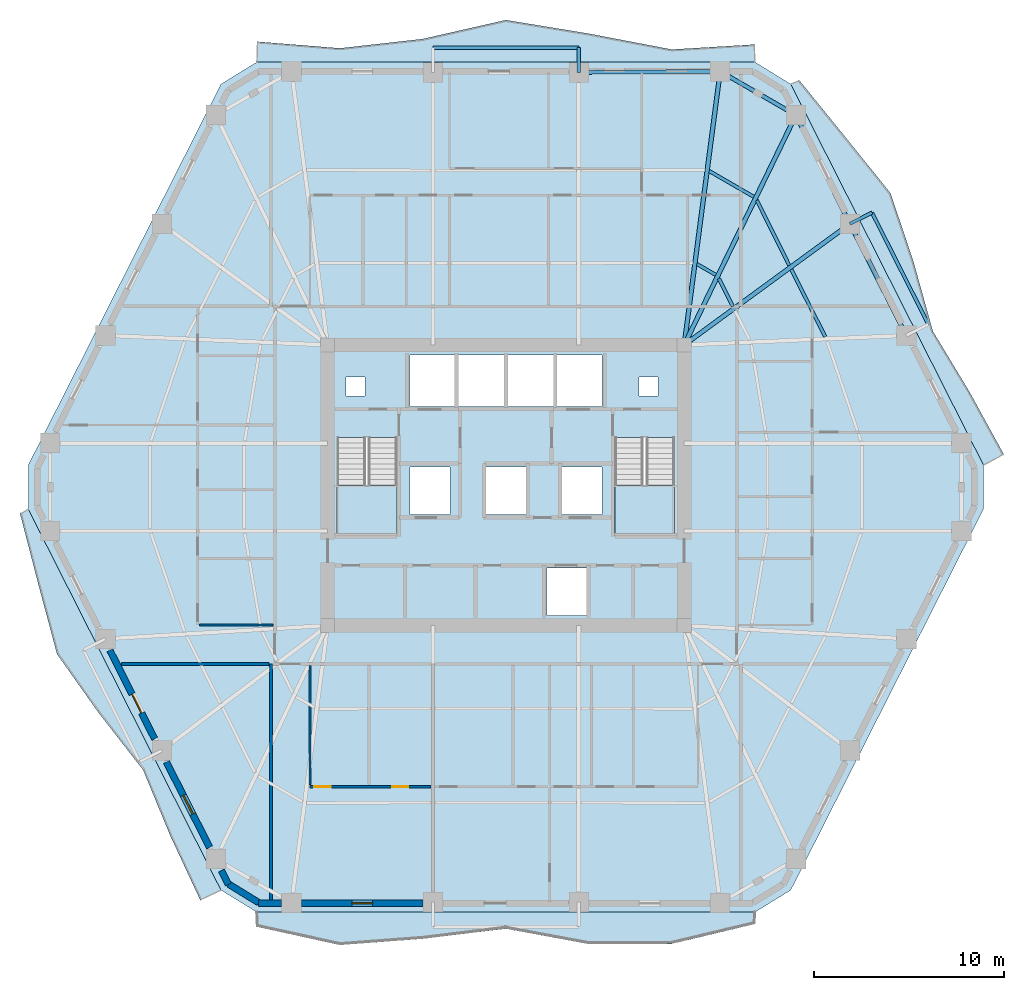
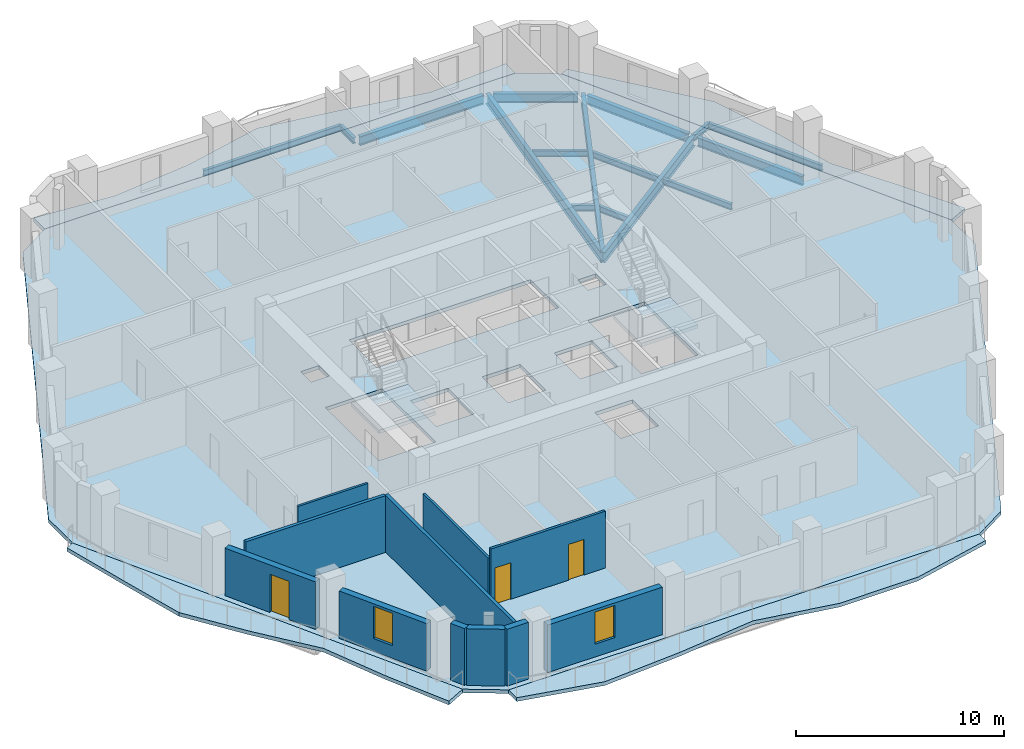
# One storey, part 3 of 11: 16 beams, 11 walls, 7 slabs, 3 doors, 2 windows, 5 openings, 2 elements without a shape of their own.
"""IFC4 building model written with IfcOpenShell, lengths in metres."""

from ifc_helpers import new_model, si_unit, direction, frame, frame_2d, origin, origin_2d, place, context, subcontext, project, spatial, polyline, rectangle, i_section, outline, extrude, material, layer, layer_set, material_profile, profile_set, type_object, element, fill, aggregate, save


model = new_model("IFC4")

# Units and contexts
model_context = context("Model", 3, precision=1e-05, world=origin(), true_north=direction((0.0, 1.0)))
body_context = subcontext(model_context, "Body", "Model", "MODEL_VIEW")
ifc_project = project(units=[si_unit("LENGTHUNIT", "METRE"), si_unit("AREAUNIT", "SQUARE_METRE"), si_unit("VOLUMEUNIT", "CUBIC_METRE"), si_unit("PLANEANGLEUNIT", "RADIAN"), si_unit("MASSUNIT", "GRAM", prefix="KILO")], contexts=[model_context])

# Site, building, storey
site_placement = place(None, origin())
site = spatial("IfcSite", under=ifc_project, at=site_placement, CompositionType="ELEMENT")
building_placement = place(site_placement, origin())
building = spatial("IfcBuilding", under=site, at=building_placement, Name="Cinnabar Lancet Tower", CompositionType="ELEMENT")
storey_placement = place(building_placement, frame((0.0, 0.0, 130.35009765625)))
storey = spatial("IfcBuildingStorey", under=building, at=storey_placement, Name="L34", CompositionType="ELEMENT", Elevation=130.35009765625)

# Beams
ifc_material_1 = material(Name="Structural steel S355", Category="steel")
ifc_material_profile_1 = material_profile(ifc_material_1, i_section(OverallWidth=0.17138671875, OverallDepth=0.35498046875, WebThickness=0.00732421875, FlangeThickness=0.011474609375, FilletRadius=0.01025390625, at=origin_2d()), Name="UKB 356x171x51")
ifc_profile_set_1 = profile_set([ifc_material_profile_1], Name="Structural steel S355")
beam_type_1 = type_object("IfcBeamType", Name="STR-BM-JST-356", PredefinedType="JOIST", material=ifc_profile_set_1)
beam_1_placement = place(storey_placement, frame((49.19189453125, 33.70703125, -0.38818359375), z_axis=(-0.450606998706, 0.892722427587, 0.0), x_axis=(-0.892722427587, -0.450606998706, 0.0)))
element("IfcBeam", 1, at=beam_1_placement, inside=storey, type_object=beam_type_1, Name="L34 Secondary Floor Joist 27", PredefinedType="JOIST", context=body_context, shape_type="SweptSolid", body=[
    extrude(i_section(OverallWidth=0.17138671875, OverallDepth=0.35498046875, WebThickness=0.00732421875, FlangeThickness=0.011474609375, FilletRadius=0.01025390625, at=origin_2d()), origin(), (0.0, 0.0, 1.0), 3.967529296875),
])
beam_2_placement = place(storey_placement, frame((47.300048828125, 37.455078125, -0.38818359375), z_axis=(-0.445116798807, 0.895472520751, 0.0), x_axis=(-0.895472520751, -0.445116798807, 0.0)))
element("IfcBeam", 2, at=beam_2_placement, inside=storey, type_object=beam_type_1, Name="L34 Secondary Floor Joist 29", PredefinedType="JOIST", context=body_context, shape_type="SweptSolid", body=[
    extrude(i_section(OverallWidth=0.17138671875, OverallDepth=0.35498046875, WebThickness=0.00732421875, FlangeThickness=0.011474609375, FilletRadius=0.01025390625, at=origin_2d()), origin(), (0.0, 0.0, 1.0), 3.8212890625),
])
beam_3_placement = place(storey_placement, frame((44.337890625, 35.2900390625, -0.38818359375), z_axis=(-0.445677136949, 0.895193772097, 0.0), x_axis=(-0.895193772097, -0.445677136949, 0.0)))
element("IfcBeam", 3, at=beam_3_placement, inside=storey, type_object=beam_type_1, Name="L34 Secondary Floor Joist 30", PredefinedType="JOIST", context=body_context, shape_type="SweptSolid", body=[
    extrude(i_section(OverallWidth=0.17138671875, OverallDepth=0.35498046875, WebThickness=0.00732421875, FlangeThickness=0.011474609375, FilletRadius=0.01025390625, at=origin_2d()), origin(), (0.0, 0.0, 1.0), 1.6533203125),
])
beam_4_placement = place(storey_placement, frame((45.43505859375, 41.06298828125, -0.38818359375), z_axis=(-0.865172906898, 0.501473669469, 0.0), x_axis=(-0.501473669469, -0.865172906898, 0.0)))
element("IfcBeam", 4, at=beam_4_placement, inside=storey, type_object=beam_type_1, Name="L34 Secondary Floor Joist 31", PredefinedType="JOIST", context=body_context, shape_type="SweptSolid", body=[
    extrude(i_section(OverallWidth=0.17138671875, OverallDepth=0.35498046875, WebThickness=0.00732421875, FlangeThickness=0.011474609375, FilletRadius=0.01025390625, at=origin_2d()), origin(), (0.0, 0.0, 1.0), 2.705810546875),
])
beam_5_placement = place(storey_placement, frame((43.43798828125, 36.9560546875, -0.38818359375), z_axis=(-0.865055308165, 0.501676503154, 0.0), x_axis=(-0.501676503154, -0.865055308165, 0.0)))
element("IfcBeam", 5, at=beam_5_placement, inside=storey, type_object=beam_type_1, Name="L34 Secondary Floor Joist 32", PredefinedType="JOIST", context=body_context, shape_type="SweptSolid", body=[
    extrude(i_section(OverallWidth=0.17138671875, OverallDepth=0.35498046875, WebThickness=0.00732421875, FlangeThickness=0.011474609375, FilletRadius=0.01025390625, at=origin_2d()), origin(), (0.0, 0.0, 1.0), 1.14208984375),
])
ifc_material_2 = material(Name="Structural steel S355", Category="steel")
ifc_material_profile_2 = material_profile(ifc_material_2, i_section(OverallWidth=0.209228515625, OverallDepth=0.533203125, WebThickness=0.010009765625, FlangeThickness=0.015625, FilletRadius=0.0126953125, at=origin_2d()), Name="UKB 533x210x92")
ifc_profile_set_2 = profile_set([ifc_material_profile_2], Name="Structural steel S355")
beam_type_2 = type_object("IfcBeamType", Name="STR-BM-SPN-533", PredefinedType="SPANDREL", material=ifc_profile_set_2)
beam_6_placement = place(storey_placement, frame((53.339111328125, 33.9990234375, -0.47705078125), z_axis=(-0.450570325924, 0.892740937449, 0.0), x_axis=(-0.892740937449, -0.450570325924, 0.0)))
element("IfcBeam", 6, at=beam_6_placement, inside=storey, type_object=beam_type_2, Name="L34 Perimeter Spandrel 10", PredefinedType="SPANDREL", context=body_context, shape_type="SweptSolid", body=[
    extrude(i_section(OverallWidth=0.209228515625, OverallDepth=0.533203125, WebThickness=0.010009765625, FlangeThickness=0.015625, FilletRadius=0.0126953125, at=origin_2d()), origin(), (0.0, 0.0, 1.0), 6.07470703125),
])
beam_7_placement = place(storey_placement, frame((50.3779296875, 39.868896484375, -0.47705078125), z_axis=(-0.445501068635, 0.89528140707, 0.0), x_axis=(-0.89528140707, -0.445501068635, 0.0)))
element("IfcBeam", 7, at=beam_7_placement, inside=storey, type_object=beam_type_2, Name="L34 Perimeter Spandrel 11", PredefinedType="SPANDREL", context=body_context, shape_type="SweptSolid", body=[
    extrude(i_section(OverallWidth=0.209228515625, OverallDepth=0.533203125, WebThickness=0.010009765625, FlangeThickness=0.015625, FilletRadius=0.0126953125, at=origin_2d()), origin(), (0.0, 0.0, 1.0), 5.87646484375),
])
beam_8_placement = place(storey_placement, frame((47.43310546875, 45.47900390625, -0.47705078125), z_axis=(-0.865138129765, 0.5015336643, 0.0), x_axis=(-0.5015336643, -0.865138129765, 0.0)))
element("IfcBeam", 8, at=beam_8_placement, inside=storey, type_object=beam_type_2, Name="L34 Perimeter Spandrel 12", PredefinedType="SPANDREL", context=body_context, shape_type="SweptSolid", body=[
    extrude(i_section(OverallWidth=0.209228515625, OverallDepth=0.533203125, WebThickness=0.010009765625, FlangeThickness=0.015625, FilletRadius=0.0126953125, at=origin_2d()), origin(), (0.0, 0.0, 1.0), 4.10107421875),
])
beam_9_placement = place(storey_placement, frame((43.4189453125, 47.658935546875, -0.47705078125), z_axis=(-0.999975228682, -0.007038609338, 0.0), x_axis=(0.007038609338, -0.999975228682, 0.0)))
element("IfcBeam", 9, at=beam_9_placement, inside=storey, type_object=beam_type_2, Name="L34 Perimeter Spandrel 13", PredefinedType="SPANDREL", context=body_context, shape_type="SweptSolid", body=[
    extrude(i_section(OverallWidth=0.209228515625, OverallDepth=0.533203125, WebThickness=0.010009765625, FlangeThickness=0.015625, FilletRadius=0.0126953125, at=origin_2d()), origin(), (0.0, 0.0, 1.0), 6.937255859375),
])
ifc_material_3 = material(Name="Structural steel S355", Category="steel")
ifc_material_profile_3 = material_profile(ifc_material_3, i_section(OverallWidth=0.228271484375, OverallDepth=0.607666015625, WebThickness=0.010986328125, FlangeThickness=0.017333984375, FilletRadius=0.0126953125, at=origin_2d()), Name="UKB 610x229x113")
ifc_profile_set_3 = profile_set([ifc_material_profile_3], Name="Structural steel S355")
beam_type_3 = type_object("IfcBeamType", Name="STR-BM-UKB610-113", PredefinedType="BEAM", material=ifc_profile_set_3)
beam_10_placement = place(storey_placement, frame((50.489013671875, 39.64501953125, -0.51416015625), z_axis=(-0.807297870919, -0.590144175273, 0.0), x_axis=(0.590144175273, -0.807297870919, 0.0)))
element("IfcBeam", 10, at=beam_10_placement, inside=storey, type_object=beam_type_3, Name="L34 Corner Collector Girder 3", PredefinedType="BEAM", context=body_context, shape_type="SweptSolid", body=[
    extrude(i_section(OverallWidth=0.228271484375, OverallDepth=0.607666015625, WebThickness=0.010986328125, FlangeThickness=0.017333984375, FilletRadius=0.0126953125, at=origin_2d()), origin(), (0.0, 0.0, 1.0), 10.794189453125),
])
beam_11_placement = place(storey_placement, frame((47.64892578125, 45.35400390625, -0.51416015625), z_axis=(-0.437327473227, -0.899302330232, 0.0), x_axis=(0.899302330232, -0.437327473227, 0.0)))
element("IfcBeam", 11, at=beam_11_placement, inside=storey, type_object=beam_type_3, Name="L34 Primary Floor Girder 12", PredefinedType="BEAM", context=body_context, shape_type="SweptSolid", body=[
    extrude(i_section(OverallWidth=0.228271484375, OverallDepth=0.607666015625, WebThickness=0.010986328125, FlangeThickness=0.017333984375, FilletRadius=0.0126953125, at=origin_2d()), origin(), (0.0, 0.0, 1.0), 13.431640625),
])
beam_12_placement = place(storey_placement, frame((43.6689453125, 47.660888671875, -0.51416015625), z_axis=(-0.130532420418, -0.991444041396, 0.0), x_axis=(0.991444041396, -0.130532420418, 0.0)))
element("IfcBeam", 12, at=beam_12_placement, inside=storey, type_object=beam_type_3, Name="L34 Primary Floor Girder 13", PredefinedType="BEAM", context=body_context, shape_type="SweptSolid", body=[
    extrude(i_section(OverallWidth=0.228271484375, OverallDepth=0.607666015625, WebThickness=0.010986328125, FlangeThickness=0.017333984375, FilletRadius=0.0126953125, at=origin_2d()), origin(), (0.0, 0.0, 1.0), 14.51025390625),
])
ifc_material_4 = material(Name="Structural steel S355", Category="steel")
ifc_material_profile_4 = material_profile(ifc_material_4, i_section(OverallWidth=0.17138671875, OverallDepth=0.35498046875, WebThickness=0.00732421875, FlangeThickness=0.011474609375, FilletRadius=0.01025390625, at=origin_2d()), Name="UKB 356x171x51")
ifc_profile_set_4 = profile_set([ifc_material_profile_4], Name="Structural steel S355")
beam_type_4 = type_object("IfcBeamType", Name="STR-BM-WAV-OUT", PredefinedType="BEAM", material=ifc_profile_set_4)
for number, where, z_axis, x_axis, name in (
    (13, (50.489013671875, 39.64501953125, -0.398193359375), (0.89227592947, 0.451490493464, 0.0), (-0.451490493464, 0.89227592947, 0.0), "L34 Face 3 Balcony Outlooker B"),
    (14, (36.23193359375, 47.60791015625, -0.398193359375), (0.0, 1.0, 0.0), (-1.0, 0.0, 0.0), "L34 Face 4 Balcony Outlooker A"),
):
    element("IfcBeam", number, at=place(storey_placement, frame(where, z_axis=z_axis, x_axis=x_axis)), inside=storey, type_object=beam_type_4, Name=name, PredefinedType="BEAM", context=body_context, shape_type="SweptSolid", body=[
        extrude(i_section(OverallWidth=0.17138671875, OverallDepth=0.35498046875, WebThickness=0.00732421875, FlangeThickness=0.011474609375, FilletRadius=0.01025390625, at=origin_2d()), origin(), (0.0, 0.0, 1.0), 1.300048828125),
    ])
ifc_material_5 = material(Name="Structural steel S355", Category="steel")
ifc_material_profile_5 = material_profile(ifc_material_5, i_section(OverallWidth=0.17138671875, OverallDepth=0.35498046875, WebThickness=0.00732421875, FlangeThickness=0.011474609375, FilletRadius=0.01025390625, at=origin_2d()), Name="UKB 356x171x51")
ifc_profile_set_5 = profile_set([ifc_material_profile_5], Name="Structural steel S355")
beam_type_5 = type_object("IfcBeamType", Name="STR-BM-WAV-TRIM", PredefinedType="SPANDREL", material=ifc_profile_set_5)
beam_13_placement = place(storey_placement, frame((54.612060546875, 34.363037109375, -0.398193359375), z_axis=(-0.450700828166, 0.892675060417, 0.0), x_axis=(-0.892675060417, -0.450700828166, 0.0)))
element("IfcBeam", 15, at=beam_13_placement, inside=storey, type_object=beam_type_5, Name="L34 Face 3 Balcony Edge Trimmer", PredefinedType="SPANDREL", context=body_context, shape_type="SweptSolid", body=[
    extrude(i_section(OverallWidth=0.17138671875, OverallDepth=0.35498046875, WebThickness=0.00732421875, FlangeThickness=0.011474609375, FilletRadius=0.01025390625, at=origin_2d()), origin(), (0.0, 0.0, 1.0), 6.574462890625),
])
beam_14_placement = place(storey_placement, frame((36.23193359375, 48.907958984375, -0.398193359375), z_axis=(-1.0, 0.0, 0.0), x_axis=(0.0, -1.0, 0.0)))
element("IfcBeam", 16, at=beam_14_placement, inside=storey, type_object=beam_type_5, Name="L34 Face 4 Balcony Edge Trimmer", PredefinedType="SPANDREL", context=body_context, shape_type="SweptSolid", body=[
    extrude(i_section(OverallWidth=0.17138671875, OverallDepth=0.35498046875, WebThickness=0.00732421875, FlangeThickness=0.011474609375, FilletRadius=0.01025390625, at=origin_2d()), origin(), (0.0, 0.0, 1.0), 7.663818359375),
])

# Stair, slab
ifc_material_6 = material(Name="Concrete C40/50", Category="concrete")
stair_type = type_object("IfcStairType", Name="ST-CORE", PredefinedType="HALF_TURN_STAIR", material=ifc_material_6)
stair_1_placement = place(storey_placement, origin())
stair_1 = element("IfcStair", 17, at=stair_1_placement, inside=storey, type_object=stair_type, Name="L34 ST-1", PredefinedType="HALF_TURN_STAIR")
ifc_material_7 = material(Name="Concrete C40/50", Category="concrete")
ifc_layer_1 = layer(ifc_material_7, 0.199951171875)
ifc_layer_set_1 = layer_set([ifc_layer_1], Name="Concrete C40/50")
slab_type_1 = type_object("IfcSlabType", Name="LANDING-CORE", PredefinedType="LANDING", material=ifc_layer_set_1)
slab_1_placement = place(storey_placement, frame((0.0, 0.0, 1.574951171875)))
slab_1 = element("IfcSlab", 18, at=slab_1_placement, type_object=slab_type_1, Name="ST-1 landing 1", PredefinedType="LANDING", context=body_context, shape_type="SweptSolid", body=[
    extrude(outline(polyline([(23.52490234375, 25.925048828125), (23.52490234375, 23.25), (26.675048828125, 23.25), (26.675048828125, 25.925048828125), (23.52490234375, 25.925048828125)])), origin(), (0.0, 0.0, 1.0), 0.199951171875),
])
aggregate(stair_1, [slab_1])

stair_2_placement = place(storey_placement, origin())
stair_2 = element("IfcStair", 19, at=stair_2_placement, inside=storey, type_object=stair_type, Name="L34 ST-2", PredefinedType="HALF_TURN_STAIR")
slab_2_placement = place(storey_placement, frame((0.0, 0.0, 1.574951171875)))
slab_2 = element("IfcSlab", 20, at=slab_2_placement, type_object=slab_type_1, Name="ST-2 landing 1", PredefinedType="LANDING", context=body_context, shape_type="SweptSolid", body=[
    extrude(outline(polyline([(38.125, 25.925048828125), (38.125, 23.25), (41.27490234375, 23.25), (41.27490234375, 25.925048828125), (38.125, 25.925048828125)])), origin(), (0.0, 0.0, 1.0), 0.199951171875),
])
aggregate(stair_2, [slab_2])

# Slabs
ifc_material_8 = material(Name="Concrete C40/50", Category="concrete")
ifc_layer_2 = layer(ifc_material_8, 0.2099609375)
ifc_layer_set_2 = layer_set([ifc_layer_2], Name="Concrete C40/50")
slab_type_2 = type_object("IfcSlabType", Name="STR-SLB-FLR-210", PredefinedType="FLOOR", material=ifc_layer_set_2)
slab_3_placement = place(storey_placement, frame((0.0, 0.0, -0.210205078125)))
element("IfcSlab", 21, at=slab_3_placement, inside=storey, type_object=slab_type_2, Name="L34 Structural Floor Slab", PredefinedType="FLOOR", context=body_context, shape_type="SweptSolid", body=[
    extrude(outline(polyline([(17.4208984375, 4.610107421875), (19.30810546875, 3.449951171875), (45.491943359375, 3.449951171875), (47.37890625, 4.610107421875), (57.512939453125, 24.639892578125), (57.512939453125, 26.9599609375), (47.37890625, 46.989990234375), (45.491943359375, 48.14990234375), (19.30810546875, 48.14990234375), (17.4208984375, 46.989990234375), (7.287109375, 26.9599609375), (7.287109375, 24.639892578125), (17.4208984375, 4.610107421875)]), holes=[polyline([(23.52490234375, 23.25), (26.675048828125, 23.25), (26.675048828125, 28.3994140625), (23.52490234375, 28.3994140625), (23.52490234375, 23.25)]), polyline([(38.125, 23.25), (41.27490234375, 23.25), (41.27490234375, 28.3994140625), (38.125, 28.3994140625), (38.125, 23.25)]), polyline([(27.35009765625, 30.050048828125), (37.449951171875, 30.050048828125), (37.449951171875, 32.75), (27.35009765625, 32.75), (27.35009765625, 30.050048828125)]), polyline([(34.550048828125, 19.050048828125), (36.64990234375, 19.050048828125), (36.64990234375, 21.550048828125), (34.550048828125, 21.550048828125), (34.550048828125, 19.050048828125)]), polyline([(27.35009765625, 24.35009765625), (29.449951171875, 24.35009765625), (29.449951171875, 26.85009765625), (27.35009765625, 26.85009765625), (27.35009765625, 24.35009765625)]), polyline([(35.35009765625, 24.35009765625), (37.449951171875, 24.35009765625), (37.449951171875, 26.85009765625), (35.35009765625, 26.85009765625), (35.35009765625, 24.35009765625)]), polyline([(31.35009765625, 24.35009765625), (33.449951171875, 24.35009765625), (33.449951171875, 26.85009765625), (31.35009765625, 26.85009765625), (31.35009765625, 24.35009765625)]), polyline([(24.0, 30.60009765625), (25.0, 30.60009765625), (25.0, 31.60009765625), (24.0, 31.60009765625), (24.0, 30.60009765625)]), polyline([(39.39990234375, 30.60009765625), (40.39990234375, 30.60009765625), (40.39990234375, 31.60009765625), (39.39990234375, 31.60009765625), (39.39990234375, 30.60009765625)])]), origin(), (0.0, 0.0, 1.0), 0.210205078125),
])
ifc_material_9 = material(Name="Concrete C45/55", Category="concrete")
ifc_layer_3 = layer(ifc_material_9, 0.219970703125)
ifc_layer_set_3 = layer_set([ifc_layer_3], Name="Concrete C45/55")
slab_type_3 = type_object("IfcSlabType", Name="STR-SLB-WAV-220", PredefinedType="FLOOR", material=ifc_layer_set_3)
slab_4_placement = place(storey_placement, frame((0.0, 0.0, -0.22021484375)))
element("IfcSlab", 22, at=slab_4_placement, inside=storey, type_object=slab_type_3, Name="L34 Face 1 Undulating Wave Balcony Slab", PredefinedType="FLOOR", context=body_context, shape_type="SweptSolid", body=[
    extrude(outline(polyline([(19.30810546875, 3.449951171875), (19.30810546875, 2.681884765625), (23.672119140625, 1.72509765625), (28.035888671875, 2.052978515625), (32.39990234375, 2.5830078125), (36.763916015625, 1.77490234375), (41.1279296875, 1.7900390625), (45.491943359375, 2.83203125), (45.491943359375, 3.449951171875), (19.30810546875, 3.449951171875)])), origin(), (0.0, 0.0, 1.0), 0.22021484375),
])
slab_5_placement = place(storey_placement, frame((0.0, 0.0, -0.22021484375)))
element("IfcSlab", 23, at=slab_5_placement, inside=storey, type_object=slab_type_3, Name="L34 Face 3 Undulating Wave Balcony Slab", PredefinedType="FLOOR", context=body_context, shape_type="SweptSolid", body=[
    extrude(outline(polyline([(57.512939453125, 26.9599609375), (58.590087890625, 27.5048828125), (56.7880859375, 30.785888671875), (54.85107421875, 33.9990234375), (53.824951171875, 37.673095703125), (52.6220703125, 41.257080078125), (50.22412109375, 44.236083984375), (47.81103515625, 47.2080078125), (47.37890625, 46.989990234375), (57.512939453125, 26.9599609375)])), origin(), (0.0, 0.0, 1.0), 0.22021484375),
])
slab_6_placement = place(storey_placement, frame((0.0, 0.0, -0.22021484375)))
element("IfcSlab", 24, at=slab_6_placement, inside=storey, type_object=slab_type_3, Name="L34 Face 4 Undulating Wave Balcony Slab", PredefinedType="FLOOR", context=body_context, shape_type="SweptSolid", body=[
    extrude(outline(polyline([(45.491943359375, 48.14990234375), (45.491943359375, 49.074951171875), (41.1279296875, 48.81005859375), (36.763916015625, 49.64501953125), (32.39990234375, 50.361083984375), (28.035888671875, 49.366943359375), (23.672119140625, 48.875), (19.30810546875, 49.22509765625), (19.30810546875, 48.14990234375), (45.491943359375, 48.14990234375)])), origin(), (0.0, 0.0, 1.0), 0.22021484375),
])
slab_7_placement = place(storey_placement, frame((0.0, 0.0, -0.22021484375)))
element("IfcSlab", 25, at=slab_7_placement, inside=storey, type_object=slab_type_3, Name="L34 Face 6 Undulating Wave Balcony Slab", PredefinedType="FLOOR", context=body_context, shape_type="SweptSolid", body=[
    extrude(outline(polyline([(7.287109375, 24.639892578125), (6.85302734375, 24.4208984375), (7.81103515625, 20.7119140625), (8.801025390625, 17.02001953125), (10.987060546875, 13.93310546875), (13.327880859375, 10.925048828125), (14.760009765625, 7.4560546875), (16.342041015625, 4.06396484375), (17.4208984375, 4.610107421875), (7.287109375, 24.639892578125)])), origin(), (0.0, 0.0, 1.0), 0.22021484375),
])

# Walls
ifc_material_10 = material(Name="Fire-rated twin-frame acoustic drywall", Category="gypsum")
ifc_layer_4 = layer(ifc_material_10, 0.179931640625)
ifc_layer_set_4 = layer_set([ifc_layer_4], Name="Fire-rated twin-frame acoustic drywall")
wall_type_1 = type_object("IfcWallType", Name="ARC-WL-PARTY-180", PredefinedType="PARTITIONING", material=ifc_layer_set_4)
wall_1_placement = place(storey_placement, frame((20.050048828125, 4.10498046875, 0.0), z_axis=(0.0, 0.0, 1.0), x_axis=(0.0, 1.0, 0.0)))
element("IfcWall", 26, at=wall_1_placement, inside=storey, type_object=wall_type_1, Name="PW-L34-SPTY-200", PredefinedType="PARTITIONING", context=body_context, shape_type="SweptSolid", body=[
    extrude(rectangle(XDim=12.39501953125, YDim=0.179931640625, at=frame_2d((6.197509765625, 0.0))), origin(), (0.0, 0.0, 1.0), 3.33984375),
])
wall_2_placement = place(storey_placement, frame((12.18505859375, 16.5, 0.0), z_axis=(0.0, 0.0, 1.0), x_axis=(1.0, 0.0, 0.0)))
element("IfcWall", 27, at=wall_2_placement, inside=storey, type_object=wall_type_1, Name="PW-L34-WSB", PredefinedType="PARTITIONING", context=body_context, shape_type="SweptSolid", body=[
    extrude(rectangle(XDim=7.77001953125, YDim=0.179931640625, at=frame_2d((3.885009765625, 0.0))), origin(), (0.0, 0.0, 1.0), 3.33984375),
])
ifc_material_11 = material(Name="Gypsum plasterboard stud partition", Category="gypsum")
ifc_layer_5 = layer(ifc_material_11, 0.125)
ifc_layer_set_5 = layer_set([ifc_layer_5], Name="Gypsum plasterboard stud partition")
wall_type_2 = type_object("IfcWallType", Name="ARC-WL-UNIT-125", PredefinedType="PARTITIONING", material=ifc_layer_set_5)
wall_3_placement = place(storey_placement, frame((22.10009765625, 10.159912109375, 0.0), z_axis=(0.0, 0.0, 1.0), x_axis=(0.0, 1.0, 0.0)))
element("IfcWall", 28, at=wall_3_placement, inside=storey, type_object=wall_type_2, Name="UW-L34-S01-FOYE", PredefinedType="PARTITIONING", context=body_context, shape_type="SweptSolid", body=[
    extrude(rectangle(XDim=6.255126953125, YDim=0.125, at=frame_2d((3.12744140625, 0.0))), origin(), (0.0, 0.0, 1.0), 2.721923828125),
])
wall_4_placement = place(storey_placement, frame((16.284912109375, 18.550048828125, 0.0), z_axis=(0.0, 0.0, 1.0), x_axis=(1.0, 0.0, 0.0)))
element("IfcWall", 29, at=wall_4_placement, inside=storey, type_object=wall_type_2, Name="UW-L34-W01-FOYN", PredefinedType="PARTITIONING", context=body_context, shape_type="SweptSolid", body=[
    extrude(rectangle(XDim=3.880126953125, YDim=0.125, at=frame_2d((1.93994140625, 0.0))), origin(), (0.0, 0.0, 1.0), 2.721923828125),
])

# Wall, openings, doors
ifc_material_12 = material(Name="Moisture-resistant cement-board plumbing wall", Category="masonry")
ifc_layer_6 = layer(ifc_material_12, 0.139892578125)
ifc_layer_set_6 = layer_set([ifc_layer_6], Name="Moisture-resistant cement-board plumbing wall")
wall_type_3 = type_object("IfcWallType", Name="ARC-WL-WET-140", PredefinedType="PLUMBINGWALL", material=ifc_layer_set_6)
wall_5_placement = place(storey_placement, frame((22.10009765625, 10.054931640625, 0.0), z_axis=(0.0, 0.0, 1.0), x_axis=(1.0, 0.0, 0.0)))
wall_5 = element("IfcWall", 30, at=wall_5_placement, inside=storey, type_object=wall_type_3, Name="UW-L34-S01-SPL", PredefinedType="PLUMBINGWALL", context=body_context, shape_type="SweptSolid", body=[
    extrude(rectangle(XDim=6.372802734375, YDim=0.139892578125, at=frame_2d((3.1865234375, 0.0))), origin(), (0.0, 0.0, 1.0), 3.33984375),
])
opening_1_placement = place(wall_5_placement, frame((4.31396484375, 0.0, 0.0)))
opening_1 = element("IfcOpeningElement", 31, at=opening_1_placement, cuts=wall_5, Name="Opening BD-01", PredefinedType="OPENING", context=body_context, shape_type="SweptSolid", body=[
    extrude(rectangle(XDim=0.860107421875, YDim=2.10009765625, at=frame_2d((0.43017578125, 1.050048828125))), frame((0.0, 0.079833984375, 0.0), z_axis=(0.0, -1.0, 0.0), x_axis=(1.0, 0.0, 0.0)), (0.0, 0.0, 1.0), 0.159912109375),
])
opening_2_placement = place(wall_5_placement, frame((0.219970703125, 0.0, 0.0)))
opening_2 = element("IfcOpeningElement", 32, at=opening_2_placement, cuts=wall_5, Name="Opening RD-02", PredefinedType="OPENING", context=body_context, shape_type="SweptSolid", body=[
    extrude(rectangle(XDim=0.8798828125, YDim=2.14990234375, at=frame_2d((0.43994140625, 1.074951171875))), frame((0.0, 0.079833984375, 0.0), z_axis=(0.0, -1.0, 0.0), x_axis=(1.0, 0.0, 0.0)), (0.0, 0.0, 1.0), 0.159912109375),
])
ifc_material_13 = material(Name="Moisture-resistant timber bathroom door", Category="wood")
door_type_1 = type_object("IfcDoorType", Name="ARC-DR-BATH", OperationType="NOTDEFINED", PredefinedType="DOOR", material=ifc_material_13)
door_1_placement = place(opening_1_placement, origin())
door_1 = element("IfcDoor", 33, at=door_1_placement, inside=storey, type_object=door_type_1, Name="DR-L34-S01-BTH", OperationType="SINGLE_SWING_RIGHT", OverallHeight=2.10009765625, OverallWidth=0.860107421875, PredefinedType="DOOR", context=body_context, shape_type="SweptSolid", body=[
    extrude(rectangle(XDim=0.860107421875, YDim=2.10009765625, at=frame_2d((0.43017578125, 1.050048828125))), frame((0.0, 0.02490234375, 0.0), z_axis=(0.0, -1.0, 0.0), x_axis=(1.0, 0.0, 0.0)), (0.0, 0.0, 1.0), 0.050048828125),
])
fill(opening_1, door_1)
ifc_material_14 = material(Name="Engineered timber study door", Category="wood")
door_type_2 = type_object("IfcDoorType", Name="ARC-DR-STUDY", OperationType="NOTDEFINED", PredefinedType="DOOR", material=ifc_material_14)
door_2_placement = place(opening_2_placement, origin())
door_2 = element("IfcDoor", 34, at=door_2_placement, inside=storey, type_object=door_type_2, Name="DR-L34-S01-KIT", OperationType="SINGLE_SWING_LEFT", OverallHeight=2.14990234375, OverallWidth=0.8798828125, PredefinedType="DOOR", context=body_context, shape_type="SweptSolid", body=[
    extrude(rectangle(XDim=0.8798828125, YDim=2.14990234375, at=frame_2d((0.43994140625, 1.074951171875))), frame((0.0, 0.02490234375, 0.0), z_axis=(0.0, -1.0, 0.0), x_axis=(1.0, 0.0, 0.0)), (0.0, 0.0, 1.0), 0.050048828125),
])
fill(opening_2, door_2)

# Walls
ifc_material_15 = material(Name="Cinnabar red clay brick", Category="masonry")
ifc_layer_7 = layer(ifc_material_15, 0.340087890625)
ifc_layer_set_7 = layer_set([ifc_layer_7], Name="Cinnabar red clay brick")
wall_type_4 = type_object("IfcWallType", Name="ENV-WL-BRK-RED-340", PredefinedType="STANDARD", material=ifc_layer_set_7)
wall_6_placement = place(storey_placement, frame((17.8291015625, 4.923095703125, 0.0), z_axis=(0.0, 0.0, 1.0), x_axis=(0.851798915137, -0.523868884523, 0.0)))
element("IfcWall", 35, at=wall_6_placement, inside=storey, type_object=wall_type_4, Name="L34 Chamfered Corner Brick Pier 1.1", PredefinedType="STANDARD", context=body_context, shape_type="SweptSolid", body=[
    extrude(rectangle(XDim=1.847900390625, YDim=0.340087890625, at=frame_2d((0.923828125, 0.0))), origin(), (0.0, 0.0, 1.0), 3.33984375),
])
wall_7_placement = place(storey_placement, frame((19.39794921875, 3.929931640625, 0.0), z_axis=(0.0, 0.0, 1.0), x_axis=(1.0, 0.0, 0.0)))
element("IfcWall", 36, at=wall_7_placement, inside=storey, type_object=wall_type_4, Name="L34 Face 1 Masonry Bay Wall 1", PredefinedType="STANDARD", context=body_context, shape_type="SweptSolid", body=[
    extrude(rectangle(XDim=1.2041015625, YDim=0.340087890625, at=frame_2d((0.60205078125, 0.0))), origin(), (0.0, 0.0, 1.0), 3.33984375),
])

# Wall, opening, window
wall_8_placement = place(storey_placement, frame((21.659912109375, 3.929931640625, 0.0), z_axis=(0.0, 0.0, 1.0), x_axis=(1.0, 0.0, 0.0)))
wall_8 = element("IfcWall", 37, at=wall_8_placement, inside=storey, type_object=wall_type_4, Name="L34 Face 1 Masonry Bay Wall 2", PredefinedType="STANDARD", context=body_context, shape_type="SweptSolid", body=[
    extrude(rectangle(XDim=6.379150390625, YDim=0.340087890625, at=frame_2d((3.189453125, 0.0))), origin(), (0.0, 0.0, 1.0), 2.796875),
])
opening_3_placement = place(wall_8_placement, frame((2.639892578125, 0.0, 0.75)))
opening_3 = element("IfcOpeningElement", 38, at=opening_3_placement, cuts=wall_8, Name="Opening WN-04", PredefinedType="OPENING", context=body_context, shape_type="SweptSolid", body=[
    extrude(rectangle(XDim=1.10009765625, YDim=1.89697265625, at=frame_2d((0.550048828125, 0.948486328125))), frame((0.0, 0.179931640625, 0.0), z_axis=(0.0, -1.0, 0.0), x_axis=(1.0, 0.0, 0.0)), (0.0, 0.0, 1.0), 0.360107421875),
])
ifc_material_16 = material(Name="Thermally broken bronze-anodized aluminium tall lancet window", Category="aluminium")
window_type = type_object("IfcWindowType", Name="ENV-WN-LANCET-1100", PartitioningType="SINGLE_PANEL", PredefinedType="WINDOW", material=ifc_material_16)
window_1_placement = place(opening_3_placement, origin())
window_1 = element("IfcWindow", 39, at=window_1_placement, inside=storey, type_object=window_type, Name="L34 Face 1 Gothic Lancet Window 2", OverallHeight=1.89697265625, OverallWidth=1.10009765625, PartitioningType="SINGLE_PANEL", PredefinedType="WINDOW", context=body_context, shape_type="SweptSolid", body=[
    extrude(rectangle(XDim=1.10009765625, YDim=1.89697265625, at=frame_2d((0.550048828125, 0.948486328125))), frame((0.0, 0.030029296875, 0.0), z_axis=(0.0, -1.0, 0.0), x_axis=(1.0, 0.0, 0.0)), (0.0, 0.0, 1.0), 0.06005859375),
])
fill(opening_3, window_1)

# Wall, opening, door
wall_9_placement = place(storey_placement, frame((11.580078125, 17.218017578125, 0.0), z_axis=(0.0, 0.0, 1.0), x_axis=(0.451567731634, -0.892236842855, 0.0)))
wall_9 = element("IfcWall", 40, at=wall_9_placement, inside=storey, type_object=wall_type_4, Name="L34 Face 6 Masonry Bay Wall 3", PredefinedType="STANDARD", context=body_context, shape_type="SweptSolid", body=[
    extrude(rectangle(XDim=5.219482421875, YDim=0.340087890625, at=frame_2d((2.60986328125, 0.0))), origin(), (0.0, 0.0, 1.0), 2.796875),
])
opening_4_placement = place(wall_9_placement, frame((2.5869140625, 0.0, 0.0)))
opening_4 = element("IfcOpeningElement", 41, at=opening_4_placement, cuts=wall_9, Name="Opening TD-01", PredefinedType="OPENING", context=body_context, shape_type="SweptSolid", body=[
    extrude(rectangle(XDim=1.10009765625, YDim=2.25, at=frame_2d((0.550048828125, 1.125))), frame((0.0, 0.179931640625, 0.0), z_axis=(0.0, -1.0, 0.0), x_axis=(1.0, 0.0, 0.0)), (0.0, 0.0, 1.0), 0.360107421875),
])
ifc_material_17 = material(Name="Thermally broken low-E glazed balcony terrace door", Category="wood")
door_type_3 = type_object("IfcDoorType", Name="ARC-DR-BALC", OperationType="NOTDEFINED", PredefinedType="DOOR", material=ifc_material_17)
door_3_placement = place(opening_4_placement, origin())
door_3 = element("IfcDoor", 42, at=door_3_placement, inside=storey, type_object=door_type_3, Name="L34 Face 6 Glazed Terrace Door", OperationType="SINGLE_SWING_LEFT", OverallHeight=2.25, OverallWidth=1.10009765625, PredefinedType="DOOR", context=body_context, shape_type="SweptSolid", body=[
    extrude(rectangle(XDim=1.10009765625, YDim=2.25, at=frame_2d((0.550048828125, 1.125))), frame((0.0, 0.02490234375, 0.0), z_axis=(0.0, -1.0, 0.0), x_axis=(1.0, 0.0, 0.0)), (0.0, 0.0, 1.0), 0.050048828125),
])
fill(opening_4, door_3)

# Wall, opening, window
wall_10_placement = place(storey_placement, frame((14.549072265625, 11.34912109375, 0.0), z_axis=(0.0, 0.0, 1.0), x_axis=(0.451548465867, -0.892246593142, 0.0)))
wall_10 = element("IfcWall", 43, at=wall_10_placement, inside=storey, type_object=wall_type_4, Name="L34 Face 6 Masonry Bay Wall 4", PredefinedType="STANDARD", context=body_context, shape_type="SweptSolid", body=[
    extrude(rectangle(XDim=5.040283203125, YDim=0.340087890625, at=frame_2d((2.52001953125, 0.0))), origin(), (0.0, 0.0, 1.0), 2.796875),
])
opening_5_placement = place(wall_10_placement, frame((1.969970703125, 0.0, 0.75)))
opening_5 = element("IfcOpeningElement", 44, at=opening_5_placement, cuts=wall_10, Name="Opening WN-04", PredefinedType="OPENING", context=body_context, shape_type="SweptSolid", body=[
    extrude(rectangle(XDim=1.10009765625, YDim=1.89697265625, at=frame_2d((0.550048828125, 0.948486328125))), frame((0.0, 0.179931640625, 0.0), z_axis=(0.0, -1.0, 0.0), x_axis=(1.0, 0.0, 0.0)), (0.0, 0.0, 1.0), 0.360107421875),
])
window_2_placement = place(opening_5_placement, origin())
window_2 = element("IfcWindow", 45, at=window_2_placement, inside=storey, type_object=window_type, Name="L34 Face 6 Gothic Lancet Window 4", OverallHeight=1.89697265625, OverallWidth=1.10009765625, PartitioningType="SINGLE_PANEL", PredefinedType="WINDOW", context=body_context, shape_type="SweptSolid", body=[
    extrude(rectangle(XDim=1.10009765625, YDim=1.89697265625, at=frame_2d((0.550048828125, 0.948486328125))), frame((0.0, 0.030029296875, 0.0), z_axis=(0.0, -1.0, 0.0), x_axis=(1.0, 0.0, 0.0)), (0.0, 0.0, 1.0), 0.06005859375),
])
fill(opening_5, window_2)

# Wall
wall_11_placement = place(storey_placement, frame((17.43798828125, 5.639892578125, 0.0), z_axis=(0.0, 0.0, 1.0), x_axis=(0.45172514337, -0.892157158155, 0.0)))
element("IfcWall", 46, at=wall_11_placement, inside=storey, type_object=wall_type_4, Name="L34 Face 6 Masonry Bay Wall 5", PredefinedType="STANDARD", context=body_context, shape_type="SweptSolid", body=[
    extrude(rectangle(XDim=0.821533203125, YDim=0.340087890625, at=frame_2d((0.41064453125, 0.0))), origin(), (0.0, 0.0, 1.0), 3.33984375),
])

save(model, "model.ifc")
